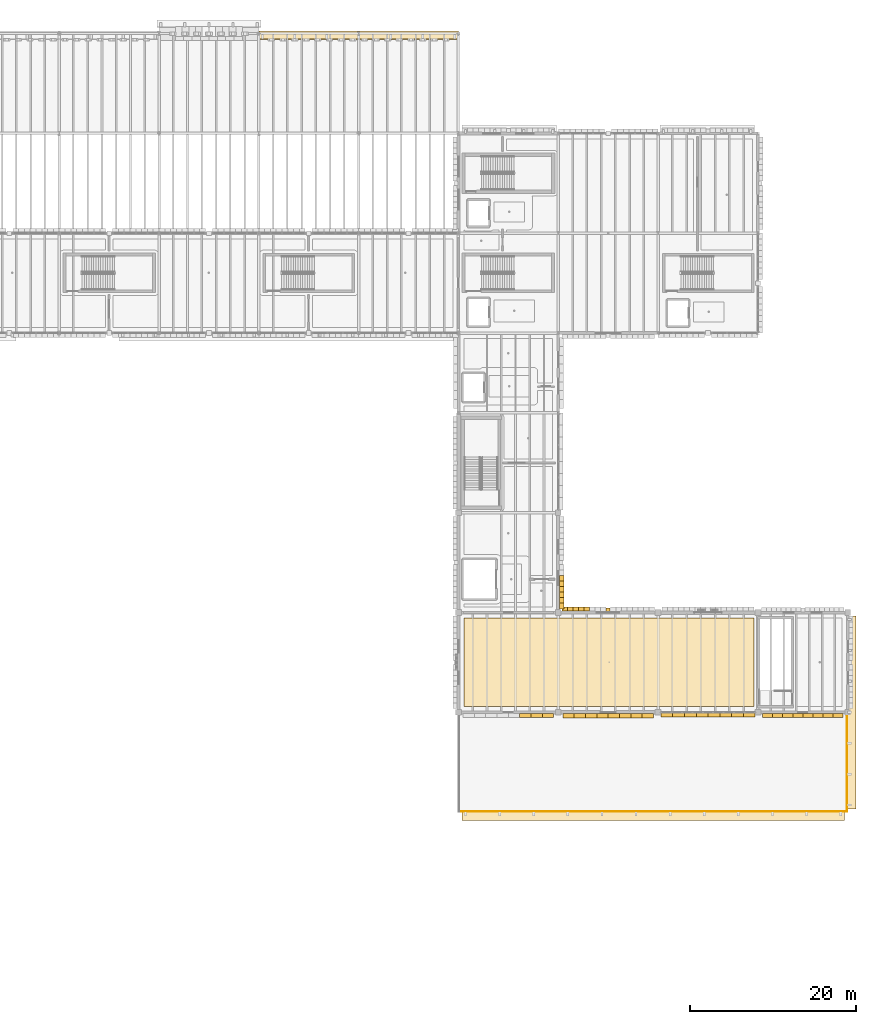
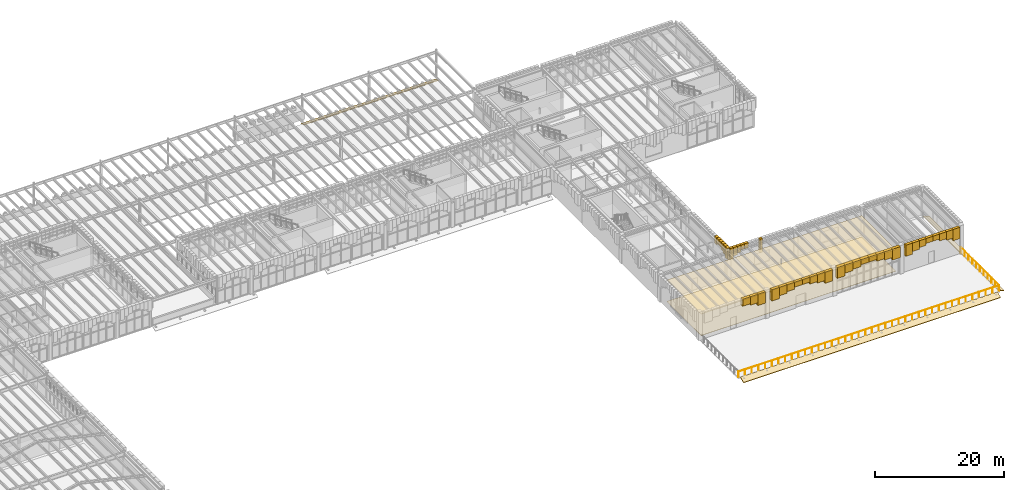
# One storey, part 90 of 100: 44 coverings, 2 railings.
"""IFC4 building model written with IfcOpenShell, lengths in metres."""

from ifc_helpers import new_model, si_unit, direction, frame, origin, origin_2d, place, context, subcontext, project, spatial, polyline, circle, outline, extrude, material, layer, layer_set, type_object, element, save


model = new_model("IFC4")

# Units and contexts
model_context = context("Model", 3, precision=1e-05, world=origin(), true_north=direction((0.0, 1.0)))
body_context = subcontext(model_context, "Body", "Model", "MODEL_VIEW")
ifc_project = project(units=[si_unit("LENGTHUNIT", "METRE"), si_unit("AREAUNIT", "SQUARE_METRE"), si_unit("VOLUMEUNIT", "CUBIC_METRE"), si_unit("PLANEANGLEUNIT", "RADIAN"), si_unit("MASSUNIT", "GRAM", prefix="KILO")], contexts=[model_context])

# Site, building, storey
site_placement = place(None, origin())
site = spatial("IfcSite", under=ifc_project, at=site_placement, CompositionType="ELEMENT")
building_placement = place(site_placement, origin())
building = spatial("IfcBuilding", under=site, at=building_placement, Name="Zlatogorsky Bluff Art Gallery", CompositionType="ELEMENT")
storey_placement = place(building_placement, frame((0.0, 0.0, 5.39990234375)))
storey = spatial("IfcBuildingStorey", under=building, at=storey_placement, Name="L01", CompositionType="ELEMENT", Elevation=5.39990234375)

# Coverings
ifc_material_1 = material(Name="Perforated Gypsum Acoustic Board", Category="gypsum")
ifc_layer_1 = layer(ifc_material_1, 0.0400390625)
ifc_layer_set_1 = layer_set([ifc_layer_1], Name="Acoustic Gallery Ceiling CLG-01")
covering_type_1 = type_object("IfcCoveringType", Name="Acoustic Gallery Ceiling CLG-01", PredefinedType="CEILING", material=ifc_layer_set_1)
covering_1_placement = place(storey_placement, frame((0.0, 0.0, 4.050048828125)))
element("IfcCovering", 1, at=covering_1_placement, inside=storey, type_object=covering_type_1, Name="Paper and Textile Conservation Studio acoustic ceiling", PredefinedType="CEILING", context=body_context, shape_type="SweptSolid", body=[
    extrude(outline(polyline([(120.669921875, 39.070068359375), (120.669921875, 49.72998046875), (155.5400390625, 49.72998046875), (155.5400390625, 39.070068359375), (120.669921875, 39.070068359375)])), origin(), (0.0, 0.0, 1.0), 0.0400390625),
])
ifc_material_2 = material(Name="Honed Red Agra-Tone Quartzitic Sandstone", Category="masonry")
ifc_layer_2 = layer(ifc_material_2, 0.1201171875)
ifc_layer_set_2 = layer_set([ifc_layer_2], Name="Carved Sandstone Cladding CLD-02")
covering_type_2 = type_object("IfcCoveringType", Name="Carved Sandstone Cladding CLD-02", PredefinedType="CLADDING", material=ifc_layer_set_2)
covering_2_placement = place(storey_placement, frame((0.0, 0.0, 4.046875)))
element("IfcCovering", 2, at=covering_2_placement, inside=storey, type_object=covering_type_2, Name="Pointed Mughal arch voussoir spandrel WARCH-L01-S-10-04-A.6", PredefinedType="CLADDING", context=body_context, shape_type="SweptSolid", body=[
    extrude(outline(polyline([(127.362548828125, 37.760009765625), (128.72509765625, 37.760009765625), (128.72509765625, 38.25), (127.362548828125, 38.25), (127.362548828125, 37.760009765625)])), origin(), (0.0, 0.0, 1.0), 1.313232421875),
])
covering_3_placement = place(storey_placement, frame((0.0, 0.0, 3.75390625)))
element("IfcCovering", 3, at=covering_3_placement, inside=storey, type_object=covering_type_2, Name="Pointed Mughal arch voussoir spandrel WARCH-L01-S-10-04-A.7", PredefinedType="CLADDING", context=body_context, shape_type="SweptSolid", body=[
    extrude(outline(polyline([(128.72509765625, 37.760009765625), (130.08740234375, 37.760009765625), (130.08740234375, 38.25), (128.72509765625, 38.25), (128.72509765625, 37.760009765625)])), origin(), (0.0, 0.0, 1.0), 1.606201171875),
])
covering_4_placement = place(storey_placement, frame((0.0, 0.0, 3.222412109375)))
element("IfcCovering", 4, at=covering_4_placement, inside=storey, type_object=covering_type_2, Name="Pointed Mughal arch voussoir spandrel WARCH-L01-S-10-04-A.8", PredefinedType="CLADDING", context=body_context, shape_type="SweptSolid", body=[
    extrude(outline(polyline([(130.08740234375, 37.760009765625), (131.449951171875, 37.760009765625), (131.449951171875, 38.25), (130.08740234375, 38.25), (130.08740234375, 37.760009765625)])), origin(), (0.0, 0.0, 1.0), 2.1376953125),
])
covering_5_placement = place(storey_placement, frame((0.0, 0.0, 3.222412109375)))
element("IfcCovering", 5, at=covering_5_placement, inside=storey, type_object=covering_type_2, Name="Pointed Mughal arch voussoir spandrel WARCH-L01-E-10-05-A.1", PredefinedType="CLADDING", context=body_context, shape_type="SweptSolid", body=[
    extrude(outline(polyline([(132.169921875, 50.85009765625), (132.169921875, 51.512451171875), (132.659912109375, 51.512451171875), (132.659912109375, 50.85009765625), (132.169921875, 50.85009765625)])), origin(), (0.0, 0.0, 1.0), 2.1376953125),
])
covering_6_placement = place(storey_placement, frame((0.0, 0.0, 3.75390625)))
element("IfcCovering", 6, at=covering_6_placement, inside=storey, type_object=covering_type_2, Name="Pointed Mughal arch voussoir spandrel WARCH-L01-E-10-05-A.2", PredefinedType="CLADDING", context=body_context, shape_type="SweptSolid", body=[
    extrude(outline(polyline([(132.169921875, 51.512451171875), (132.169921875, 52.175048828125), (132.659912109375, 52.175048828125), (132.659912109375, 51.512451171875), (132.169921875, 51.512451171875)])), origin(), (0.0, 0.0, 1.0), 1.606201171875),
])
covering_7_placement = place(storey_placement, frame((0.0, 0.0, 4.046875)))
element("IfcCovering", 7, at=covering_7_placement, inside=storey, type_object=covering_type_2, Name="Pointed Mughal arch voussoir spandrel WARCH-L01-E-10-05-A.3", PredefinedType="CLADDING", context=body_context, shape_type="SweptSolid", body=[
    extrude(outline(polyline([(132.169921875, 52.175048828125), (132.169921875, 52.83740234375), (132.659912109375, 52.83740234375), (132.659912109375, 52.175048828125), (132.169921875, 52.175048828125)])), origin(), (0.0, 0.0, 1.0), 1.313232421875),
])
covering_8_placement = place(storey_placement, frame((0.0, 0.0, 4.41552734375)))
element("IfcCovering", 8, at=covering_8_placement, inside=storey, type_object=covering_type_2, Name="Pointed Mughal arch voussoir spandrel WARCH-L01-E-10-05-A.4", PredefinedType="CLADDING", context=body_context, shape_type="SweptSolid", body=[
    extrude(outline(polyline([(132.169921875, 52.83740234375), (132.169921875, 53.5), (132.659912109375, 53.5), (132.659912109375, 52.83740234375), (132.169921875, 52.83740234375)])), origin(), (0.0, 0.0, 1.0), 0.944580078125),
])
covering_9_placement = place(storey_placement, frame((0.0, 0.0, 4.41552734375)))
element("IfcCovering", 9, at=covering_9_placement, inside=storey, type_object=covering_type_2, Name="Pointed Mughal arch voussoir spandrel WARCH-L01-E-10-05-A.5", PredefinedType="CLADDING", context=body_context, shape_type="SweptSolid", body=[
    extrude(outline(polyline([(132.169921875, 53.5), (132.169921875, 54.16259765625), (132.659912109375, 54.16259765625), (132.659912109375, 53.5), (132.169921875, 53.5)])), origin(), (0.0, 0.0, 1.0), 0.944580078125),
])
covering_10_placement = place(storey_placement, frame((0.0, 0.0, 4.046875)))
element("IfcCovering", 10, at=covering_10_placement, inside=storey, type_object=covering_type_2, Name="Pointed Mughal arch voussoir spandrel WARCH-L01-E-10-05-A.6", PredefinedType="CLADDING", context=body_context, shape_type="SweptSolid", body=[
    extrude(outline(polyline([(132.169921875, 54.16259765625), (132.169921875, 54.824951171875), (132.659912109375, 54.824951171875), (132.659912109375, 54.16259765625), (132.169921875, 54.16259765625)])), origin(), (0.0, 0.0, 1.0), 1.313232421875),
])
covering_11_placement = place(storey_placement, frame((0.0, 0.0, 3.222412109375)))
element("IfcCovering", 11, at=covering_11_placement, inside=storey, type_object=covering_type_2, Name="Pointed Mughal arch voussoir spandrel WARCH-L01-S-11-04-A.1", PredefinedType="CLADDING", context=body_context, shape_type="SweptSolid", body=[
    extrude(outline(polyline([(132.550048828125, 37.739990234375), (133.91259765625, 37.739990234375), (133.91259765625, 38.22998046875), (132.550048828125, 38.22998046875), (132.550048828125, 37.739990234375)])), origin(), (0.0, 0.0, 1.0), 2.1376953125),
])
covering_12_placement = place(storey_placement, frame((0.0, 0.0, 3.75390625)))
element("IfcCovering", 12, at=covering_12_placement, inside=storey, type_object=covering_type_2, Name="Pointed Mughal arch voussoir spandrel WARCH-L01-S-11-04-A.2", PredefinedType="CLADDING", context=body_context, shape_type="SweptSolid", body=[
    extrude(outline(polyline([(133.91259765625, 37.739990234375), (135.27490234375, 37.739990234375), (135.27490234375, 38.22998046875), (133.91259765625, 38.22998046875), (133.91259765625, 37.739990234375)])), origin(), (0.0, 0.0, 1.0), 1.606201171875),
])
covering_13_placement = place(storey_placement, frame((0.0, 0.0, 4.046875)))
element("IfcCovering", 13, at=covering_13_placement, inside=storey, type_object=covering_type_2, Name="Pointed Mughal arch voussoir spandrel WARCH-L01-S-11-04-A.3", PredefinedType="CLADDING", context=body_context, shape_type="SweptSolid", body=[
    extrude(outline(polyline([(135.27490234375, 37.739990234375), (136.637451171875, 37.739990234375), (136.637451171875, 38.22998046875), (135.27490234375, 38.22998046875), (135.27490234375, 37.739990234375)])), origin(), (0.0, 0.0, 1.0), 1.313232421875),
])
covering_14_placement = place(storey_placement, frame((0.0, 0.0, 4.41552734375)))
element("IfcCovering", 14, at=covering_14_placement, inside=storey, type_object=covering_type_2, Name="Pointed Mughal arch voussoir spandrel WARCH-L01-S-11-04-A.4", PredefinedType="CLADDING", context=body_context, shape_type="SweptSolid", body=[
    extrude(outline(polyline([(136.637451171875, 37.739990234375), (138.0, 37.739990234375), (138.0, 38.22998046875), (136.637451171875, 38.22998046875), (136.637451171875, 37.739990234375)])), origin(), (0.0, 0.0, 1.0), 0.944580078125),
])
covering_15_placement = place(storey_placement, frame((0.0, 0.0, 4.41552734375)))
element("IfcCovering", 15, at=covering_15_placement, inside=storey, type_object=covering_type_2, Name="Pointed Mughal arch voussoir spandrel WARCH-L01-S-11-04-A.5", PredefinedType="CLADDING", context=body_context, shape_type="SweptSolid", body=[
    extrude(outline(polyline([(138.0, 37.739990234375), (139.362548828125, 37.739990234375), (139.362548828125, 38.22998046875), (138.0, 38.22998046875), (138.0, 37.739990234375)])), origin(), (0.0, 0.0, 1.0), 0.944580078125),
])
covering_16_placement = place(storey_placement, frame((0.0, 0.0, 4.046875)))
element("IfcCovering", 16, at=covering_16_placement, inside=storey, type_object=covering_type_2, Name="Pointed Mughal arch voussoir spandrel WARCH-L01-S-11-04-A.6", PredefinedType="CLADDING", context=body_context, shape_type="SweptSolid", body=[
    extrude(outline(polyline([(139.362548828125, 37.739990234375), (140.72509765625, 37.739990234375), (140.72509765625, 38.22998046875), (139.362548828125, 38.22998046875), (139.362548828125, 37.739990234375)])), origin(), (0.0, 0.0, 1.0), 1.313232421875),
])
covering_17_placement = place(storey_placement, frame((0.0, 0.0, 3.75390625)))
element("IfcCovering", 17, at=covering_17_placement, inside=storey, type_object=covering_type_2, Name="Pointed Mughal arch voussoir spandrel WARCH-L01-S-11-04-A.7", PredefinedType="CLADDING", context=body_context, shape_type="SweptSolid", body=[
    extrude(outline(polyline([(140.72509765625, 37.739990234375), (142.08740234375, 37.739990234375), (142.08740234375, 38.22998046875), (140.72509765625, 38.22998046875), (140.72509765625, 37.739990234375)])), origin(), (0.0, 0.0, 1.0), 1.606201171875),
])
covering_18_placement = place(storey_placement, frame((0.0, 0.0, 3.222412109375)))
element("IfcCovering", 18, at=covering_18_placement, inside=storey, type_object=covering_type_2, Name="Pointed Mughal arch voussoir spandrel WARCH-L01-S-11-04-A.8", PredefinedType="CLADDING", context=body_context, shape_type="SweptSolid", body=[
    extrude(outline(polyline([(142.08740234375, 37.739990234375), (143.449951171875, 37.739990234375), (143.449951171875, 38.22998046875), (142.08740234375, 38.22998046875), (142.08740234375, 37.739990234375)])), origin(), (0.0, 0.0, 1.0), 2.1376953125),
])
covering_19_placement = place(storey_placement, frame((0.0, 0.0, 2.780029296875)))
element("IfcCovering", 19, at=covering_19_placement, inside=storey, type_object=covering_type_2, Name="Mughal blind-arch sandstone pilaster L01.N.11.4", PredefinedType="CLADDING", context=body_context, shape_type="SweptSolid", body=[
    extrude(outline(polyline([(137.760009765625, 50.47998046875), (138.239990234375, 50.47998046875), (138.239990234375, 50.9599609375), (137.760009765625, 50.9599609375), (137.760009765625, 50.47998046875)])), origin(), (0.0, 0.0, 1.0), 2.580078125),
])
covering_20_placement = place(storey_placement, frame((0.0, 0.0, 3.222412109375)))
element("IfcCovering", 20, at=covering_20_placement, inside=storey, type_object=covering_type_2, Name="Pointed Mughal arch voussoir spandrel WARCH-L01-N-11-04-A.1", PredefinedType="CLADDING", context=body_context, shape_type="SweptSolid", body=[
    extrude(outline(polyline([(132.449951171875, 50.570068359375), (133.112548828125, 50.570068359375), (133.112548828125, 51.06005859375), (132.449951171875, 51.06005859375), (132.449951171875, 50.570068359375)])), origin(), (0.0, 0.0, 1.0), 2.1376953125),
])
covering_21_placement = place(storey_placement, frame((0.0, 0.0, 3.75390625)))
element("IfcCovering", 21, at=covering_21_placement, inside=storey, type_object=covering_type_2, Name="Pointed Mughal arch voussoir spandrel WARCH-L01-N-11-04-A.2", PredefinedType="CLADDING", context=body_context, shape_type="SweptSolid", body=[
    extrude(outline(polyline([(133.112548828125, 50.570068359375), (133.77490234375, 50.570068359375), (133.77490234375, 51.06005859375), (133.112548828125, 51.06005859375), (133.112548828125, 50.570068359375)])), origin(), (0.0, 0.0, 1.0), 1.606201171875),
])
covering_22_placement = place(storey_placement, frame((0.0, 0.0, 4.046875)))
element("IfcCovering", 22, at=covering_22_placement, inside=storey, type_object=covering_type_2, Name="Pointed Mughal arch voussoir spandrel WARCH-L01-N-11-04-A.3", PredefinedType="CLADDING", context=body_context, shape_type="SweptSolid", body=[
    extrude(outline(polyline([(133.77490234375, 50.570068359375), (134.4375, 50.570068359375), (134.4375, 51.06005859375), (133.77490234375, 51.06005859375), (133.77490234375, 50.570068359375)])), origin(), (0.0, 0.0, 1.0), 1.313232421875),
])
covering_23_placement = place(storey_placement, frame((0.0, 0.0, 4.41552734375)))
element("IfcCovering", 23, at=covering_23_placement, inside=storey, type_object=covering_type_2, Name="Pointed Mughal arch voussoir spandrel WARCH-L01-N-11-04-A.4", PredefinedType="CLADDING", context=body_context, shape_type="SweptSolid", body=[
    extrude(outline(polyline([(134.4375, 50.570068359375), (135.10009765625, 50.570068359375), (135.10009765625, 51.06005859375), (134.4375, 51.06005859375), (134.4375, 50.570068359375)])), origin(), (0.0, 0.0, 1.0), 0.944580078125),
])
covering_24_placement = place(storey_placement, frame((0.0, 0.0, 4.41552734375)))
element("IfcCovering", 24, at=covering_24_placement, inside=storey, type_object=covering_type_2, Name="Pointed Mughal arch voussoir spandrel WARCH-L01-N-11-04-A.5", PredefinedType="CLADDING", context=body_context, shape_type="SweptSolid", body=[
    extrude(outline(polyline([(135.10009765625, 50.570068359375), (135.762451171875, 50.570068359375), (135.762451171875, 51.06005859375), (135.10009765625, 51.06005859375), (135.10009765625, 50.570068359375)])), origin(), (0.0, 0.0, 1.0), 0.944580078125),
])
covering_25_placement = place(storey_placement, frame((0.0, 0.0, 3.2978515625)))
element("IfcCovering", 25, at=covering_25_placement, inside=storey, type_object=covering_type_2, Name="Pointed Mughal arch voussoir spandrel ARCH-CW-L01-S-12-04.1", PredefinedType="CLADDING", context=body_context, shape_type="SweptSolid", body=[
    extrude(outline(polyline([(144.344970703125, 37.860107421875), (145.7587890625, 37.860107421875), (145.7587890625, 38.429931640625), (144.344970703125, 38.429931640625), (144.344970703125, 37.860107421875)])), origin(), (0.0, 0.0, 1.0), 2.062255859375),
])
covering_26_placement = place(storey_placement, frame((0.0, 0.0, 3.7998046875)))
element("IfcCovering", 26, at=covering_26_placement, inside=storey, type_object=covering_type_2, Name="Pointed Mughal arch voussoir spandrel ARCH-CW-L01-S-12-04.2", PredefinedType="CLADDING", context=body_context, shape_type="SweptSolid", body=[
    extrude(outline(polyline([(145.7587890625, 37.860107421875), (147.172607421875, 37.860107421875), (147.172607421875, 38.429931640625), (145.7587890625, 38.429931640625), (145.7587890625, 37.860107421875)])), origin(), (0.0, 0.0, 1.0), 1.560302734375),
])
covering_27_placement = place(storey_placement, frame((0.0, 0.0, 4.076416015625)))
element("IfcCovering", 27, at=covering_27_placement, inside=storey, type_object=covering_type_2, Name="Pointed Mughal arch voussoir spandrel ARCH-CW-L01-S-12-04.3", PredefinedType="CLADDING", context=body_context, shape_type="SweptSolid", body=[
    extrude(outline(polyline([(147.172607421875, 37.860107421875), (148.586181640625, 37.860107421875), (148.586181640625, 38.429931640625), (147.172607421875, 38.429931640625), (147.172607421875, 37.860107421875)])), origin(), (0.0, 0.0, 1.0), 1.28369140625),
])
covering_28_placement = place(storey_placement, frame((0.0, 0.0, 4.424560546875)))
element("IfcCovering", 28, at=covering_28_placement, inside=storey, type_object=covering_type_2, Name="Pointed Mughal arch voussoir spandrel ARCH-CW-L01-S-12-04.4", PredefinedType="CLADDING", context=body_context, shape_type="SweptSolid", body=[
    extrude(outline(polyline([(148.586181640625, 37.860107421875), (150.0, 37.860107421875), (150.0, 38.429931640625), (148.586181640625, 38.429931640625), (148.586181640625, 37.860107421875)])), origin(), (0.0, 0.0, 1.0), 0.935546875),
])
covering_29_placement = place(storey_placement, frame((0.0, 0.0, 4.424560546875)))
element("IfcCovering", 29, at=covering_29_placement, inside=storey, type_object=covering_type_2, Name="Pointed Mughal arch voussoir spandrel ARCH-CW-L01-S-12-04.5", PredefinedType="CLADDING", context=body_context, shape_type="SweptSolid", body=[
    extrude(outline(polyline([(150.0, 37.860107421875), (151.413818359375, 37.860107421875), (151.413818359375, 38.429931640625), (150.0, 38.429931640625), (150.0, 37.860107421875)])), origin(), (0.0, 0.0, 1.0), 0.935546875),
])
covering_30_placement = place(storey_placement, frame((0.0, 0.0, 4.076416015625)))
element("IfcCovering", 30, at=covering_30_placement, inside=storey, type_object=covering_type_2, Name="Pointed Mughal arch voussoir spandrel ARCH-CW-L01-S-12-04.6", PredefinedType="CLADDING", context=body_context, shape_type="SweptSolid", body=[
    extrude(outline(polyline([(151.413818359375, 37.860107421875), (152.827392578125, 37.860107421875), (152.827392578125, 38.429931640625), (151.413818359375, 38.429931640625), (151.413818359375, 37.860107421875)])), origin(), (0.0, 0.0, 1.0), 1.28369140625),
])
covering_31_placement = place(storey_placement, frame((0.0, 0.0, 3.7998046875)))
element("IfcCovering", 31, at=covering_31_placement, inside=storey, type_object=covering_type_2, Name="Pointed Mughal arch voussoir spandrel ARCH-CW-L01-S-12-04.7", PredefinedType="CLADDING", context=body_context, shape_type="SweptSolid", body=[
    extrude(outline(polyline([(152.827392578125, 37.860107421875), (154.2412109375, 37.860107421875), (154.2412109375, 38.429931640625), (152.827392578125, 38.429931640625), (152.827392578125, 37.860107421875)])), origin(), (0.0, 0.0, 1.0), 1.560302734375),
])
covering_32_placement = place(storey_placement, frame((0.0, 0.0, 3.2978515625)))
element("IfcCovering", 32, at=covering_32_placement, inside=storey, type_object=covering_type_2, Name="Pointed Mughal arch voussoir spandrel ARCH-CW-L01-S-12-04.8", PredefinedType="CLADDING", context=body_context, shape_type="SweptSolid", body=[
    extrude(outline(polyline([(154.2412109375, 37.860107421875), (155.655029296875, 37.860107421875), (155.655029296875, 38.429931640625), (154.2412109375, 38.429931640625), (154.2412109375, 37.860107421875)])), origin(), (0.0, 0.0, 1.0), 2.062255859375),
])
covering_33_placement = place(storey_placement, frame((0.0, 0.0, 3.222412109375)))
element("IfcCovering", 33, at=covering_33_placement, inside=storey, type_object=covering_type_2, Name="Pointed Mughal arch voussoir spandrel WARCH-L01-S-13-04-A.1", PredefinedType="CLADDING", context=body_context, shape_type="SweptSolid", body=[
    extrude(outline(polyline([(156.550048828125, 37.780029296875), (157.762451171875, 37.780029296875), (157.762451171875, 38.27001953125), (156.550048828125, 38.27001953125), (156.550048828125, 37.780029296875)])), origin(), (0.0, 0.0, 1.0), 2.1376953125),
])
covering_34_placement = place(storey_placement, frame((0.0, 0.0, 3.75390625)))
element("IfcCovering", 34, at=covering_34_placement, inside=storey, type_object=covering_type_2, Name="Pointed Mughal arch voussoir spandrel WARCH-L01-S-13-04-A.2", PredefinedType="CLADDING", context=body_context, shape_type="SweptSolid", body=[
    extrude(outline(polyline([(157.762451171875, 37.780029296875), (158.97509765625, 37.780029296875), (158.97509765625, 38.27001953125), (157.762451171875, 38.27001953125), (157.762451171875, 37.780029296875)])), origin(), (0.0, 0.0, 1.0), 1.606201171875),
])
covering_35_placement = place(storey_placement, frame((0.0, 0.0, 4.046875)))
element("IfcCovering", 35, at=covering_35_placement, inside=storey, type_object=covering_type_2, Name="Pointed Mughal arch voussoir spandrel WARCH-L01-S-13-04-A.3", PredefinedType="CLADDING", context=body_context, shape_type="SweptSolid", body=[
    extrude(outline(polyline([(158.97509765625, 37.780029296875), (160.1875, 37.780029296875), (160.1875, 38.27001953125), (158.97509765625, 38.27001953125), (158.97509765625, 37.780029296875)])), origin(), (0.0, 0.0, 1.0), 1.313232421875),
])
covering_36_placement = place(storey_placement, frame((0.0, 0.0, 4.41552734375)))
element("IfcCovering", 36, at=covering_36_placement, inside=storey, type_object=covering_type_2, Name="Pointed Mughal arch voussoir spandrel WARCH-L01-S-13-04-A.4", PredefinedType="CLADDING", context=body_context, shape_type="SweptSolid", body=[
    extrude(outline(polyline([(160.1875, 37.780029296875), (161.39990234375, 37.780029296875), (161.39990234375, 38.27001953125), (160.1875, 38.27001953125), (160.1875, 37.780029296875)])), origin(), (0.0, 0.0, 1.0), 0.944580078125),
])
covering_37_placement = place(storey_placement, frame((0.0, 0.0, 4.41552734375)))
element("IfcCovering", 37, at=covering_37_placement, inside=storey, type_object=covering_type_2, Name="Pointed Mughal arch voussoir spandrel WARCH-L01-S-13-04-A.5", PredefinedType="CLADDING", context=body_context, shape_type="SweptSolid", body=[
    extrude(outline(polyline([(161.39990234375, 37.780029296875), (162.612548828125, 37.780029296875), (162.612548828125, 38.27001953125), (161.39990234375, 38.27001953125), (161.39990234375, 37.780029296875)])), origin(), (0.0, 0.0, 1.0), 0.944580078125),
])
covering_38_placement = place(storey_placement, frame((0.0, 0.0, 4.046875)))
element("IfcCovering", 38, at=covering_38_placement, inside=storey, type_object=covering_type_2, Name="Pointed Mughal arch voussoir spandrel WARCH-L01-S-13-04-A.6", PredefinedType="CLADDING", context=body_context, shape_type="SweptSolid", body=[
    extrude(outline(polyline([(162.612548828125, 37.780029296875), (163.824951171875, 37.780029296875), (163.824951171875, 38.27001953125), (162.612548828125, 38.27001953125), (162.612548828125, 37.780029296875)])), origin(), (0.0, 0.0, 1.0), 1.313232421875),
])
covering_39_placement = place(storey_placement, frame((0.0, 0.0, 3.75390625)))
element("IfcCovering", 39, at=covering_39_placement, inside=storey, type_object=covering_type_2, Name="Pointed Mughal arch voussoir spandrel WARCH-L01-S-13-04-A.7", PredefinedType="CLADDING", context=body_context, shape_type="SweptSolid", body=[
    extrude(outline(polyline([(163.824951171875, 37.780029296875), (165.03759765625, 37.780029296875), (165.03759765625, 38.27001953125), (163.824951171875, 38.27001953125), (163.824951171875, 37.780029296875)])), origin(), (0.0, 0.0, 1.0), 1.606201171875),
])
covering_40_placement = place(storey_placement, frame((0.0, 0.0, 3.222412109375)))
element("IfcCovering", 40, at=covering_40_placement, inside=storey, type_object=covering_type_2, Name="Pointed Mughal arch voussoir spandrel WARCH-L01-S-13-04-A.8", PredefinedType="CLADDING", context=body_context, shape_type="SweptSolid", body=[
    extrude(outline(polyline([(165.03759765625, 37.780029296875), (166.25, 37.780029296875), (166.25, 38.27001953125), (165.03759765625, 38.27001953125), (165.03759765625, 37.780029296875)])), origin(), (0.0, 0.0, 1.0), 2.1376953125),
])
covering_41_placement = place(storey_placement, frame((96.0, 119.360107421875, -0.039794921875), z_axis=(0.0, 0.374916877298, 0.927058431339), x_axis=(1.0, 0.0, 0.0)))
element("IfcCovering", 41, at=covering_41_placement, inside=storey, type_object=covering_type_2, Name="Projecting sloped Mughal chhajja stone eave CHJ-DALAN-E", PredefinedType="CLADDING", context=body_context, shape_type="SweptSolid", body=[
    extrude(outline(polyline([(0.0, 0.0), (24.0, 0.0), (24.0, 1.013896615871324), (0.0, 1.013896615871324), (0.0, 0.0)])), origin(), (0.0, 0.0, -1.0), 0.139892578125),
])
covering_42_placement = place(storey_placement, frame((166.760009765625, 50.0, -0.039794921875), z_axis=(0.380872241927, 0.0, 0.924627673893), x_axis=(0.0, -1.0, 0.0)))
element("IfcCovering", 42, at=covering_42_placement, inside=storey, type_object=covering_type_2, Name="Projecting sloped Mughal chhajja stone eave CHJ-EAST-E-L01", PredefinedType="CLADDING", context=body_context, shape_type="SweptSolid", body=[
    extrude(outline(polyline([(0.0, 0.0), (23.199951171875, 0.0), (23.199951171875, 1.103167858858142), (0.0, 1.103167858858142), (0.0, 0.0)])), origin(), (0.0, 0.0, -1.0), 0.139892578125),
])
covering_43_placement = place(storey_placement, frame((166.39990234375, 26.43994140625, -0.039794921875), z_axis=(0.0, -0.380872241927, 0.924627673893), x_axis=(-1.0, 0.0, 0.0)))
element("IfcCovering", 43, at=covering_43_placement, inside=storey, type_object=covering_type_2, Name="Projecting sloped Mughal chhajja stone eave CHJ-EAST-S-L01", PredefinedType="CLADDING", context=body_context, shape_type="SweptSolid", body=[
    extrude(outline(polyline([(0.0, 0.0), (46.0, 0.0), (46.0, 1.1031678588581422), (0.0, 1.1031678588581422), (0.0, 0.0)])), origin(), (0.0, 0.0, -1.0), 0.139892578125),
])

# Railings
ifc_material_3 = material(Name="Architectural Bronze and Laminated Glass", Category="glass")
railing_type = type_object("IfcRailingType", Name="Gallery Guard Rail 1100mm", PredefinedType="GUARDRAIL", material=ifc_material_3)
railing_1_placement = place(storey_placement, frame((166.719970703125, 38.320068359375, 0.0)))
element("IfcRailing", 44, at=railing_1_placement, inside=storey, type_object=railing_type, Name="Sculpture terrace balustrade TERR-L01-02.1", PredefinedType="GUARDRAIL", context=body_context, shape_type="SweptSolid", body=[
    extrude(circle(Radius=0.02392578125, at=origin_2d()), frame((0.0, 0.0, 1.076171875), z_axis=(0.0, -1.0, 0.0), x_axis=(1.0, 0.0, 0.0)), (0.0, 0.0, 1.0), 11.840087890625),
    extrude(circle(Radius=0.02099609375, at=origin_2d()), origin(), (0.0, 0.0, 1.0), 1.052001953125),
    extrude(circle(Radius=0.02099609375, at=origin_2d()), frame((0.0, -1.18408203125, 0.0)), (0.0, 0.0, 1.0), 1.052001953125),
    extrude(circle(Radius=0.02099609375, at=origin_2d()), frame((0.0, -2.367919921875, 0.0)), (0.0, 0.0, 1.0), 1.052001953125),
    extrude(circle(Radius=0.02099609375, at=origin_2d()), frame((0.0, -3.552001953125, 0.0)), (0.0, 0.0, 1.0), 1.052001953125),
    extrude(circle(Radius=0.02099609375, at=origin_2d()), frame((0.0, -4.736083984375, 0.0)), (0.0, 0.0, 1.0), 1.052001953125),
    extrude(circle(Radius=0.02099609375, at=origin_2d()), frame((0.0, -5.919921875, 0.0)), (0.0, 0.0, 1.0), 1.052001953125),
    extrude(circle(Radius=0.02099609375, at=origin_2d()), frame((0.0, -7.10400390625, 0.0)), (0.0, 0.0, 1.0), 1.052001953125),
    extrude(circle(Radius=0.02099609375, at=origin_2d()), frame((0.0, -8.2880859375, 0.0)), (0.0, 0.0, 1.0), 1.052001953125),
    extrude(circle(Radius=0.02099609375, at=origin_2d()), frame((0.0, -9.47216796875, 0.0)), (0.0, 0.0, 1.0), 1.052001953125),
    extrude(circle(Radius=0.02099609375, at=origin_2d()), frame((0.0, -10.656005859375, 0.0)), (0.0, 0.0, 1.0), 1.052001953125),
    extrude(circle(Radius=0.02099609375, at=origin_2d()), frame((0.0, -11.840087890625, 0.0)), (0.0, 0.0, 1.0), 1.052001953125),
])
railing_2_placement = place(storey_placement, frame((166.719970703125, 26.47998046875, 0.0)))
element("IfcRailing", 45, at=railing_2_placement, inside=storey, type_object=railing_type, Name="Sculpture terrace balustrade TERR-L01-02.2", PredefinedType="GUARDRAIL", context=body_context, shape_type="SweptSolid", body=[
    extrude(circle(Radius=0.02392578125, at=origin_2d()), frame((0.0, 0.0, 1.076171875), z_axis=(-1.0, 0.0, 0.0), x_axis=(0.0, -1.0, 0.0)), (0.0, 0.0, 1.0), 46.639892578125),
    extrude(circle(Radius=0.02099609375, at=origin_2d()), origin(), (0.0, 0.0, 1.0), 1.052001953125),
    extrude(circle(Radius=0.02099609375, at=origin_2d()), frame((-1.19580078125, 0.0, 0.0)), (0.0, 0.0, 1.0), 1.052001953125),
    extrude(circle(Radius=0.02099609375, at=origin_2d()), frame((-2.391845703125, 0.0, 0.0)), (0.0, 0.0, 1.0), 1.052001953125),
    extrude(circle(Radius=0.02099609375, at=origin_2d()), frame((-3.587646484375, 0.0, 0.0)), (0.0, 0.0, 1.0), 1.052001953125),
    extrude(circle(Radius=0.02099609375, at=origin_2d()), frame((-4.78369140625, 0.0, 0.0)), (0.0, 0.0, 1.0), 1.052001953125),
    extrude(circle(Radius=0.02099609375, at=origin_2d()), frame((-5.9794921875, 0.0, 0.0)), (0.0, 0.0, 1.0), 1.052001953125),
    extrude(circle(Radius=0.02099609375, at=origin_2d()), frame((-7.17529296875, 0.0, 0.0)), (0.0, 0.0, 1.0), 1.052001953125),
    extrude(circle(Radius=0.02099609375, at=origin_2d()), frame((-8.371337890625, 0.0, 0.0)), (0.0, 0.0, 1.0), 1.052001953125),
    extrude(circle(Radius=0.02099609375, at=origin_2d()), frame((-9.567138671875, 0.0, 0.0)), (0.0, 0.0, 1.0), 1.052001953125),
    extrude(circle(Radius=0.02099609375, at=origin_2d()), frame((-10.762939453125, 0.0, 0.0)), (0.0, 0.0, 1.0), 1.052001953125),
    extrude(circle(Radius=0.02099609375, at=origin_2d()), frame((-11.958984375, 0.0, 0.0)), (0.0, 0.0, 1.0), 1.052001953125),
    extrude(circle(Radius=0.02099609375, at=origin_2d()), frame((-13.15478515625, 0.0, 0.0)), (0.0, 0.0, 1.0), 1.052001953125),
    extrude(circle(Radius=0.02099609375, at=origin_2d()), frame((-14.350830078125, 0.0, 0.0)), (0.0, 0.0, 1.0), 1.052001953125),
    extrude(circle(Radius=0.02099609375, at=origin_2d()), frame((-15.546630859375, 0.0, 0.0)), (0.0, 0.0, 1.0), 1.052001953125),
    extrude(circle(Radius=0.02099609375, at=origin_2d()), frame((-16.742431640625, 0.0, 0.0)), (0.0, 0.0, 1.0), 1.052001953125),
    extrude(circle(Radius=0.02099609375, at=origin_2d()), frame((-17.9384765625, 0.0, 0.0)), (0.0, 0.0, 1.0), 1.052001953125),
    extrude(circle(Radius=0.02099609375, at=origin_2d()), frame((-19.13427734375, 0.0, 0.0)), (0.0, 0.0, 1.0), 1.052001953125),
    extrude(circle(Radius=0.02099609375, at=origin_2d()), frame((-20.330322265625, 0.0, 0.0)), (0.0, 0.0, 1.0), 1.052001953125),
    extrude(circle(Radius=0.02099609375, at=origin_2d()), frame((-21.526123046875, 0.0, 0.0)), (0.0, 0.0, 1.0), 1.052001953125),
    extrude(circle(Radius=0.02099609375, at=origin_2d()), frame((-22.721923828125, 0.0, 0.0)), (0.0, 0.0, 1.0), 1.052001953125),
    extrude(circle(Radius=0.02099609375, at=origin_2d()), frame((-23.91796875, 0.0, 0.0)), (0.0, 0.0, 1.0), 1.052001953125),
    extrude(circle(Radius=0.02099609375, at=origin_2d()), frame((-25.11376953125, 0.0, 0.0)), (0.0, 0.0, 1.0), 1.052001953125),
    extrude(circle(Radius=0.02099609375, at=origin_2d()), frame((-26.3095703125, 0.0, 0.0)), (0.0, 0.0, 1.0), 1.052001953125),
    extrude(circle(Radius=0.02099609375, at=origin_2d()), frame((-27.505615234375, 0.0, 0.0)), (0.0, 0.0, 1.0), 1.052001953125),
    extrude(circle(Radius=0.02099609375, at=origin_2d()), frame((-28.701416015625, 0.0, 0.0)), (0.0, 0.0, 1.0), 1.052001953125),
    extrude(circle(Radius=0.02099609375, at=origin_2d()), frame((-29.8974609375, 0.0, 0.0)), (0.0, 0.0, 1.0), 1.052001953125),
    extrude(circle(Radius=0.02099609375, at=origin_2d()), frame((-31.09326171875, 0.0, 0.0)), (0.0, 0.0, 1.0), 1.052001953125),
    extrude(circle(Radius=0.02099609375, at=origin_2d()), frame((-32.2890625, 0.0, 0.0)), (0.0, 0.0, 1.0), 1.052001953125),
    extrude(circle(Radius=0.02099609375, at=origin_2d()), frame((-33.485107421875, 0.0, 0.0)), (0.0, 0.0, 1.0), 1.052001953125),
    extrude(circle(Radius=0.02099609375, at=origin_2d()), frame((-34.680908203125, 0.0, 0.0)), (0.0, 0.0, 1.0), 1.052001953125),
    extrude(circle(Radius=0.02099609375, at=origin_2d()), frame((-35.876953125, 0.0, 0.0)), (0.0, 0.0, 1.0), 1.052001953125),
    extrude(circle(Radius=0.02099609375, at=origin_2d()), frame((-37.07275390625, 0.0, 0.0)), (0.0, 0.0, 1.0), 1.052001953125),
    extrude(circle(Radius=0.02099609375, at=origin_2d()), frame((-38.2685546875, 0.0, 0.0)), (0.0, 0.0, 1.0), 1.052001953125),
    extrude(circle(Radius=0.02099609375, at=origin_2d()), frame((-39.464599609375, 0.0, 0.0)), (0.0, 0.0, 1.0), 1.052001953125),
    extrude(circle(Radius=0.02099609375, at=origin_2d()), frame((-40.660400390625, 0.0, 0.0)), (0.0, 0.0, 1.0), 1.052001953125),
    extrude(circle(Radius=0.02099609375, at=origin_2d()), frame((-41.856201171875, 0.0, 0.0)), (0.0, 0.0, 1.0), 1.052001953125),
    extrude(circle(Radius=0.02099609375, at=origin_2d()), frame((-43.05224609375, 0.0, 0.0)), (0.0, 0.0, 1.0), 1.052001953125),
    extrude(circle(Radius=0.02099609375, at=origin_2d()), frame((-44.248046875, 0.0, 0.0)), (0.0, 0.0, 1.0), 1.052001953125),
    extrude(circle(Radius=0.02099609375, at=origin_2d()), frame((-45.444091796875, 0.0, 0.0)), (0.0, 0.0, 1.0), 1.052001953125),
    extrude(circle(Radius=0.02099609375, at=origin_2d()), frame((-46.639892578125, 0.0, 0.0)), (0.0, 0.0, 1.0), 1.052001953125),
])

# Covering
ifc_material_4 = material(Name="Polished Ural Marble Terrazzo", Category="masonry")
ifc_layer_3 = layer(ifc_material_4, 0.050048828125)
ifc_layer_set_3 = layer_set([ifc_layer_3], Name="Terrazzo Gallery Flooring FLR-01")
covering_type_3 = type_object("IfcCoveringType", Name="Terrazzo Gallery Flooring FLR-01", PredefinedType="FLOORING", material=ifc_layer_set_3)
covering_44_placement = place(storey_placement, origin())
element("IfcCovering", 46, at=covering_44_placement, inside=storey, type_object=covering_type_3, Name="Paper and Textile Conservation Studio terrazzo floor finish", PredefinedType="FLOORING", context=body_context, shape_type="SweptSolid", body=[
    extrude(outline(polyline([(120.669921875, 39.070068359375), (120.669921875, 49.72998046875), (155.5400390625, 49.72998046875), (155.5400390625, 39.070068359375), (120.669921875, 39.070068359375)])), origin(), (0.0, 0.0, 1.0), 0.050048828125),
])

save(model, "model.ifc")
